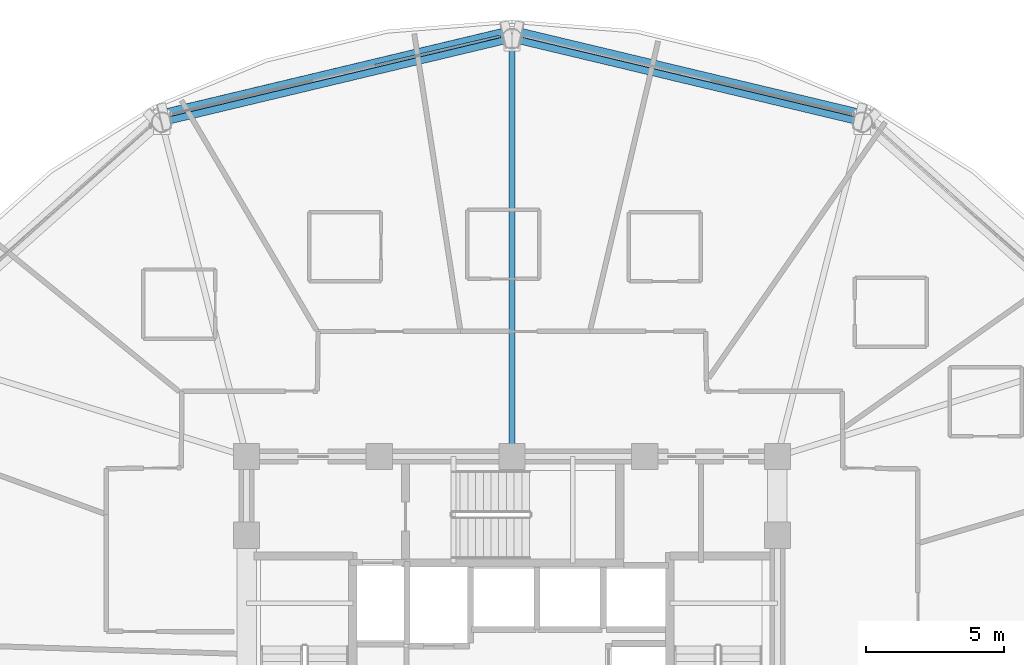
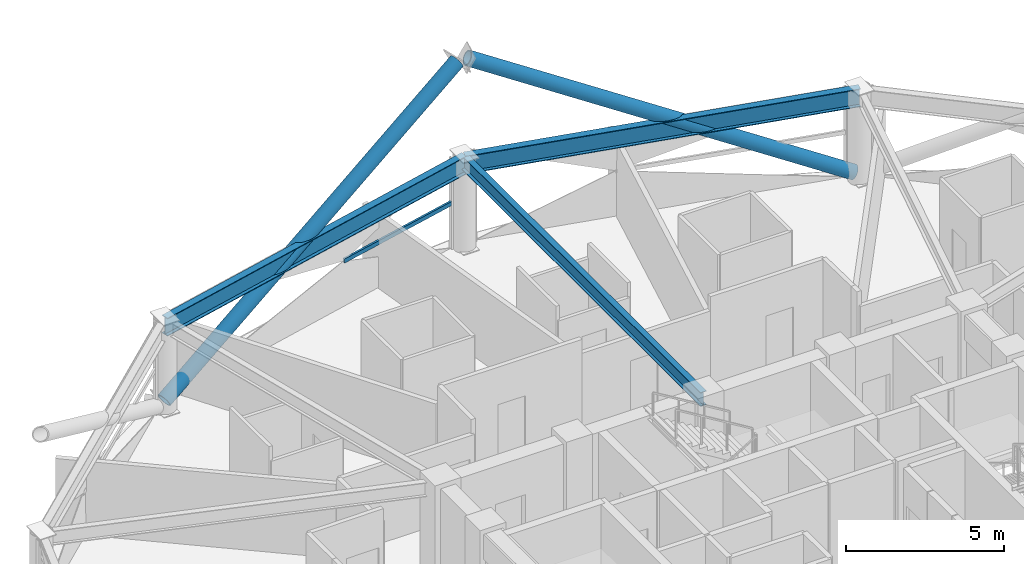
# One storey, part 16 of 30: 3 beams, 3 members, 1 element without a shape of its own.
"""IFC4 building model written with IfcOpenShell, lengths in metres."""

from ifc_helpers import new_model, si_unit, direction, frame, origin, origin_2d, place, context, subcontext, project, spatial, hollow_rectangle, hollow_circle, i_section, extrude, material, layer, layer_set, material_profile, profile_set, type_object, element, aggregate, save


model = new_model("IFC4")

# Units and contexts
model_context = context("Model", 3, precision=1e-05, world=origin(), true_north=direction((0.0, 1.0)))
body_context = subcontext(model_context, "Body", "Model", "MODEL_VIEW")
ifc_project = project(units=[si_unit("LENGTHUNIT", "METRE"), si_unit("AREAUNIT", "SQUARE_METRE"), si_unit("VOLUMEUNIT", "CUBIC_METRE"), si_unit("PLANEANGLEUNIT", "RADIAN"), si_unit("MASSUNIT", "GRAM", prefix="KILO")], contexts=[model_context])

# Site, building, storey
site_placement = place(None, origin())
site = spatial("IfcSite", under=ifc_project, at=site_placement, CompositionType="ELEMENT")
building_placement = place(site_placement, origin())
building = spatial("IfcBuilding", under=site, at=building_placement, Name="Vantalir Tower", CompositionType="ELEMENT")
storey_placement = place(building_placement, frame((0.0, 0.0, 119.699951171875)))
storey = spatial("IfcBuildingStorey", under=building, at=storey_placement, Name="L29", CompositionType="ELEMENT", Elevation=119.699951171875)

# Beams
ifc_material_1 = material(Name="Steel S355", Category="steel")
ifc_material_profile_1 = material_profile(ifc_material_1, i_section(OverallWidth=0.2109375, OverallDepth=0.5390625, WebThickness=0.01171875, FlangeThickness=0.018798828125, at=origin_2d()), Name="Steel S355")
ifc_profile_set_1 = profile_set([ifc_material_profile_1], Name="Steel S355")
beam_type_1 = type_object("IfcBeamType", Name="BM-RB-533x210", PredefinedType="BEAM", material=ifc_profile_set_1)
beam_placement = place(storey_placement, frame((31.5, 47.56591796875, 3.300048828125), z_axis=(0.0, -1.0, 0.0), x_axis=(1.0, 0.0, 0.0)))
element("IfcBeam", 1, at=beam_placement, inside=storey, type_object=beam_type_1, Name="L29 Radial Floor Beam 04", PredefinedType="BEAM", context=body_context, shape_type="SweptSolid", body=[
    extrude(i_section(OverallWidth=0.2109375, OverallDepth=0.5390625, WebThickness=0.01171875, FlangeThickness=0.018798828125, at=origin_2d()), origin(), (0.0, 0.0, 1.0), 15.115966796875),
])
ifc_material_2 = material(Name="Steel S460", Category="steel")
ifc_material_profile_2 = material_profile(ifc_material_2, i_section(OverallWidth=0.256103515625, OverallDepth=0.693115234375, WebThickness=0.014404296875, FlangeThickness=0.023681640625, at=origin_2d()), Name="Steel S460")
ifc_profile_set_2 = profile_set([ifc_material_profile_2], Name="Steel S460")
beam_type_2 = type_object("IfcBeamType", Name="BM-RG-686x254", PredefinedType="USERDEFINED", material=ifc_profile_set_2)
for number, where, z_axis, x_axis, name in (
    (2, (44.169921875, 44.54296875, 3.22314453125), (-0.972697106811, 0.232078302307, 0.0), (-0.232078302307, -0.972697106811, 0.0), "L29 Circumferential Ring Girder 03"),
    (3, (31.5, 47.56591796875, 3.22314453125), (-0.972697106811, -0.232078302307, 0.0), (0.232078302307, -0.972697106811, 0.0), "L29 Circumferential Ring Girder 04"),
):
    element("IfcBeam", number, at=place(storey_placement, frame(where, z_axis=z_axis, x_axis=x_axis)), inside=storey, type_object=beam_type_2, Name=name, ObjectType="GIRDER", PredefinedType="USERDEFINED", context=body_context, shape_type="SweptSolid", body=[
        extrude(i_section(OverallWidth=0.256103515625, OverallDepth=0.693115234375, WebThickness=0.014404296875, FlangeThickness=0.023681640625, at=origin_2d()), origin(), (0.0, 0.0, 1.0), 13.025634765625),
    ])

# Curtain wall, member
ifc_material_3 = material(Name="Champagne-silver PVDF aluminium and double-silver Low-E glass", Category="aluminium")
ifc_layer = layer(ifc_material_3, 0.199951171875)
ifc_layer_set = layer_set([ifc_layer], Name="Champagne-silver PVDF aluminium and double-silver Low-E glass")
curtain_wall_type = type_object("IfcCurtainWallType", Name="CW-DIAMOND-Z2", PredefinedType="USERDEFINED", material=ifc_layer_set)
curtain_wall_placement = place(storey_placement, origin())
curtain_wall = element("IfcCurtainWall", 4, at=curtain_wall_placement, inside=storey, type_object=curtain_wall_type, Name="L29 Quilted Pyramid-Diamond Curtain Wall S04", ObjectType="UNITISED CURTAIN WALL", PredefinedType="USERDEFINED")
ifc_material_4 = material(Name="Champagne-silver PVDF aluminium 6063-T6", Category="aluminium")
ifc_material_profile_3 = material_profile(ifc_material_4, hollow_rectangle(XDim=0.074951171875, YDim=0.159912109375, WallThickness=0.00390625, at=origin_2d()), Name="Champagne-silver PVDF aluminium 6063-T6")
ifc_profile_set_3 = profile_set([ifc_material_profile_3], Name="Champagne-silver PVDF aluminium 6063-T6")
member_type_1 = type_object("IfcMemberType", Name="CWT-160x75", PredefinedType="USERDEFINED", material=ifc_profile_set_3)
member_placement = place(storey_placement, frame((31.072021484375, 47.654052734375, 1.78515625), z_axis=(-0.97379978114, -0.227407093672, 0.0), x_axis=(0.227407093672, -0.97379978114, 0.0)))
member = element("IfcMember", 5, at=member_placement, type_object=member_type_1, Name="CW-L29-S04 Pyramid Fold Ridge Transom", ObjectType="TRANSOM", PredefinedType="USERDEFINED", context=body_context, shape_type="SweptSolid", body=[
    extrude(hollow_rectangle(XDim=0.074951171875, YDim=0.159912109375, WallThickness=0.00390625, at=origin_2d()), origin(), (0.0, 0.0, 1.0), 4.65283203125),
])
aggregate(curtain_wall, [member])

# Members
ifc_material_profile_4 = material_profile(ifc_material_2, hollow_circle(Radius=0.260009765625, WallThickness=0.0380859375, at=origin_2d()), Name="Steel S460")
ifc_profile_set_4 = profile_set([ifc_material_profile_4], Name="Steel S460")
member_type_2 = type_object("IfcMemberType", Name="MEM-DB-520x38", PredefinedType="BRACE", material=ifc_profile_set_4)
for number, where, z_axis, x_axis, name in (
    (6, (44.076904296875, 44.751953125, 0.18505859375), (-0.853813989994, 0.203926013572, 0.478973748215), (-0.232307159218, -0.972642474795, 0.0), "L29 Perimeter S460 Diagrid Brace R07L"),
    (7, (18.923095703125, 44.751953125, 0.18505859375), (0.853813989994, 0.203926013572, 0.478973748215), (-0.232307159218, 0.972642474795, 0.0), "L29 Perimeter S460 Diagrid Brace R13R"),
):
    element("IfcMember", number, at=place(storey_placement, frame(where, z_axis=z_axis, x_axis=x_axis)), inside=storey, type_object=member_type_2, Name=name, PredefinedType="BRACE", context=body_context, shape_type="SweptSolid", body=[
        extrude(hollow_circle(Radius=0.260009765625, WallThickness=0.0380859375, at=origin_2d()), origin(), (0.0, 0.0, 1.0), 14.510009765625),
    ])

save(model, "model.ifc")
